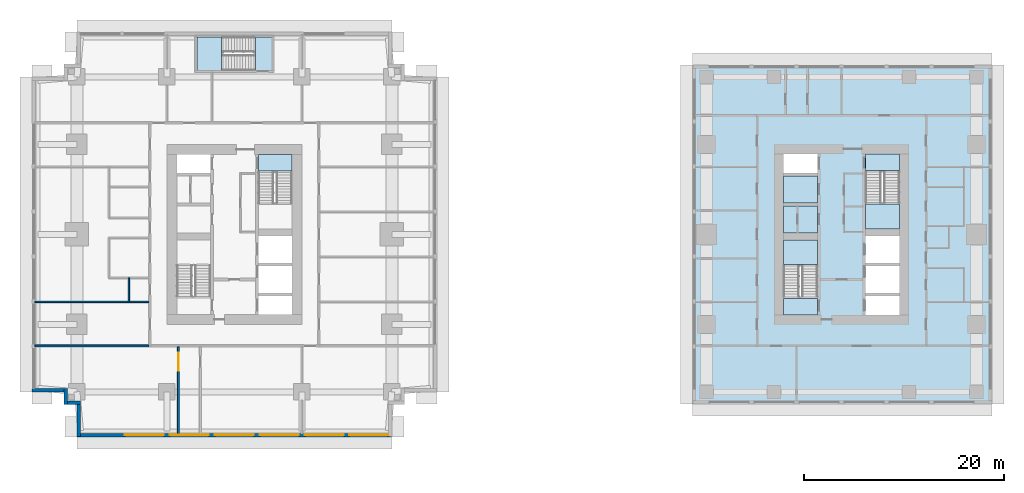
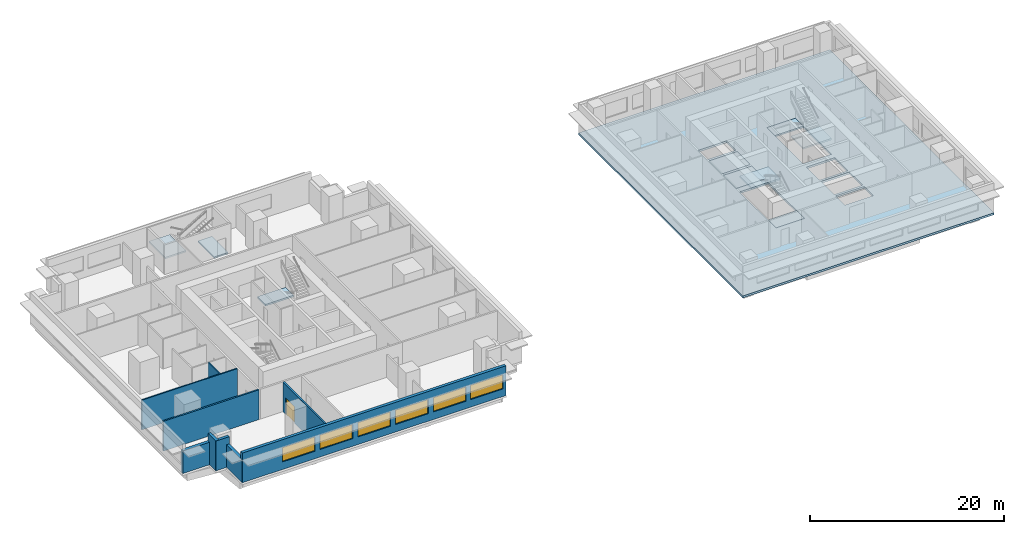
# One storey, part 2 of 11: 10 slabs, 9 walls, 6 windows, 1 door, 7 openings, 4 elements without a shape of their own.
"""IFC4 building model written with IfcOpenShell, lengths in metres."""

import ifcopenshell
import ifcopenshell.guid

model = None  # the IFC model being written
_history = None  # IfcOwnerHistory: only IFC2X3 demands one
_inside = {}  # id of a spatial element -> (the spatial element, [elements in it])
_under = {}  # id of a project, library or spatial element -> (it, [spatial elements below it])
_declared = {}  # id of a project -> (the project, [libraries it declares])
_typed = {}  # id of a type object -> (the type object, [elements of that type])
_made_of = {}  # id of a material, layer set ... -> (it, [elements and type objects made of it])


def new_model(schema):
    """Start an empty IFC model of exactly this schema.

    Asked for "IFC4X3", IfcOpenShell would pick the latest addendum, in which some entities
    have other attributes; the version numbers below select the first issue.
    IFC2X3 requires an IfcOwnerHistory on every rooted entity: one is made here for all.
    """
    global model, _history
    if schema == "IFC4X3":
        model = ifcopenshell.file(schema_version=(4, 3, 0, 0))
    else:
        model = ifcopenshell.file(schema=schema)
    _inside.clear()
    _under.clear()
    _declared.clear()
    _typed.clear()
    _made_of.clear()
    _history = None
    if model.schema == "IFC2X3":
        org = make("IfcOrganization", Name="unknown")
        user = make(
            "IfcPersonAndOrganization",
            ThePerson=make("IfcPerson", FamilyName="unknown"),
            TheOrganization=org,
        )
        app = make(
            "IfcApplication",
            ApplicationDeveloper=org,
            Version="unknown",
            ApplicationFullName="unknown",
            ApplicationIdentifier="unknown",
        )
        _history = make(
            "IfcOwnerHistory",
            OwningUser=user,
            OwningApplication=app,
            ChangeAction="ADDED",
            CreationDate=0,
        )
    return model


def make(cls, **values):
    """One entity of the class cls with the attributes given. An attribute that is None is left unset."""
    return model.create_entity(
        cls, **{name: value for name, value in values.items() if value is not None}
    )


def rooted(cls, **values):
    """An entity with a GlobalId (a new one), such as an element, a storey or a relation."""
    return make(cls, GlobalId=ifcopenshell.guid.new(), OwnerHistory=_history, **values)


def si_unit(unit_type, name, prefix=None):
    """IfcSIUnit, for example si_unit("LENGTHUNIT", "METRE", prefix="MILLI")."""
    return make("IfcSIUnit", UnitType=unit_type, Prefix=prefix, Name=name)


def assignment(units):
    """IfcUnitAssignment: the units of a project."""
    return None if units is None else make("IfcUnitAssignment", Units=units)


def point(xyz):
    """IfcCartesianPoint."""
    return None if xyz is None else make("IfcCartesianPoint", Coordinates=xyz)


def direction(xyz):
    """IfcDirection."""
    return None if xyz is None else make("IfcDirection", DirectionRatios=xyz)


def frame(location, z_axis=None, x_axis=None):
    """IfcAxis2Placement3D, a coordinate frame: its origin and axes. An axis left out is left unset."""
    return make(
        "IfcAxis2Placement3D",
        Location=point(location),
        Axis=direction(z_axis),
        RefDirection=direction(x_axis),
    )


def frame_2d(location, x_axis=None):
    """IfcAxis2Placement2D, a coordinate frame in the plane: its origin and x axis."""
    return make(
        "IfcAxis2Placement2D", Location=point(location), RefDirection=direction(x_axis)
    )


def origin():
    """The frame at (0, 0, 0) with its axes left unset."""
    return frame((0.0, 0.0, 0.0))


def place(relative_to, where):
    """IfcLocalPlacement: puts the frame where relative to a parent placement (None: the world)."""
    return make(
        "IfcLocalPlacement", PlacementRelTo=relative_to, RelativePlacement=where
    )


def context(
    kind, dimensions, precision=None, world=None, true_north=None, identifier=None
):
    """IfcGeometricRepresentationContext, for example the 3D "Model" context."""
    return make(
        "IfcGeometricRepresentationContext",
        ContextIdentifier=identifier,
        ContextType=kind,
        CoordinateSpaceDimension=dimensions,
        Precision=precision,
        WorldCoordinateSystem=world,
        TrueNorth=true_north,
    )


def subcontext(parent, identifier, kind, view, scale=None):
    """IfcGeometricRepresentationSubContext, for example "Body" below "Model"."""
    return make(
        "IfcGeometricRepresentationSubContext",
        ContextIdentifier=identifier,
        ContextType=kind,
        ParentContext=parent,
        TargetScale=scale,
        TargetView=view,
    )


def project(units=None, contexts=None):
    """IfcProject with its units and contexts."""
    return rooted(
        "IfcProject",
        Name="project",
        RepresentationContexts=contexts,
        UnitsInContext=assignment(units),
    )


def spatial(cls, under=None, at=None, **own):
    """A site, building, storey or space (cls), placed at a placement, below another one or the project."""
    s = rooted(cls, ObjectPlacement=at, **own)
    if under is not None:
        _under.setdefault(under.id(), (under, []))[1].append(s)
    return s


def polyline(points):
    """IfcPolyline through the points."""
    return make("IfcPolyline", Points=[point(p) for p in points])


def profile(cls, at=None, kind="AREA", **sizes):
    """A parametric profile (cls). Its sizes go by their IFC names, for example OverallWidth=200.0."""
    return make(cls, ProfileType=kind, Position=at, **sizes)


def rectangle(**sizes):
    """IfcRectangleProfileDef."""
    return profile("IfcRectangleProfileDef", **sizes)


def outline(outer, holes=None, kind="AREA"):
    """IfcArbitraryClosedProfileDef: a profile drawn as a closed curve; with holes, ...WithVoids."""
    if holes is None:
        return make("IfcArbitraryClosedProfileDef", ProfileType=kind, OuterCurve=outer)
    return make(
        "IfcArbitraryProfileDefWithVoids",
        ProfileType=kind,
        OuterCurve=outer,
        InnerCurves=holes,
    )


def extrude(swept, where, along, depth):
    """IfcExtrudedAreaSolid: the profile swept, set in the frame where, extruded along a direction by depth."""
    return make(
        "IfcExtrudedAreaSolid",
        SweptArea=swept,
        Position=where,
        ExtrudedDirection=direction(along),
        Depth=depth,
    )


def shape(context_of_items, identifier, shape_type, items):
    """IfcShapeRepresentation: the items that make up one representation, for example the "Body"."""
    return make(
        "IfcShapeRepresentation",
        ContextOfItems=context_of_items,
        RepresentationIdentifier=identifier,
        RepresentationType=shape_type,
        Items=items,
    )


def material(Name=None, Category=None):
    """IfcMaterial."""
    return make("IfcMaterial", Name=Name, Category=Category)


def layer(
    of_material, thickness, ventilated=None, Name=None, Category=None, Priority=None
):
    """IfcMaterialLayer: one layer of a wall or slab, of a material (None: an air gap)."""
    return make(
        "IfcMaterialLayer",
        Material=of_material,
        LayerThickness=thickness,
        IsVentilated=ventilated,
        Name=Name,
        Category=Category,
        Priority=Priority,
    )


def layer_set(layers, Name=None):
    """IfcMaterialLayerSet."""
    return make("IfcMaterialLayerSet", MaterialLayers=layers, LayerSetName=Name)


def made_of(thing, what):
    """Note that an element or type object is made of a material, layer set ...; save() writes the relation."""
    if what is not None:
        _made_of.setdefault(what.id(), (what, []))[1].append(thing)
    return thing


def type_object(cls, material=None, **own):
    """A type object (cls), such as IfcWallType, which elements share."""
    return made_of(rooted(cls, **own), material)


def element(
    cls,
    number,
    at=None,
    inside=None,
    cuts=None,
    type_object=None,
    material=None,
    context=None,
    identifier="Body",
    shape_type=None,
    held_by="IfcProductDefinitionShape",
    body=None,
    shapes=None,
    **own,
):
    """One element of the class cls, such as IfcWall. Its Tag is "e" and its number.

    at: its placement. inside: the storey or other place that contains it. cuts: it is an
    opening in that element (IfcRelVoidsElement). A single representation is given by context,
    identifier, shape_type and body (its items); several are given by shapes. held_by: the class
    of the entity that holds the representations. save() writes the other relations.
    """
    e = rooted(cls, Tag="e%d" % number, ObjectPlacement=at, **own)
    if body is not None:
        shapes = [shape(context, identifier, shape_type, body)]
    if shapes is not None:
        e.Representation = make(held_by, Representations=shapes)
    if inside is not None:
        _inside.setdefault(inside.id(), (inside, []))[1].append(e)
    if cuts is not None:
        rooted(
            "IfcRelVoidsElement", RelatingBuildingElement=cuts, RelatedOpeningElement=e
        )
    if type_object is not None:
        _typed.setdefault(type_object.id(), (type_object, []))[1].append(e)
    return made_of(e, material)


def fill(opening, filler):
    """IfcRelFillsElement: the door or window that sits in an opening."""
    return rooted(
        "IfcRelFillsElement",
        RelatingOpeningElement=opening,
        RelatedBuildingElement=filler,
    )


def aggregate(whole, parts):
    """IfcRelAggregates: a whole, such as a stair, and the parts it consists of."""
    return rooted("IfcRelAggregates", RelatingObject=whole, RelatedObjects=parts)


def save(model, path):
    """Write the relations noted so far, then the file.

    IfcRelAggregates (storeys below a building ...), IfcRelContainedInSpatialStructure (elements
    in a storey), IfcRelDefinesByType, IfcRelAssociatesMaterial and IfcRelDeclares: one each for
    every whole, place, type object, material and project.
    """
    for whole, parts in _under.values():
        aggregate(whole, parts)
    for where, things in _inside.values():
        rooted(
            "IfcRelContainedInSpatialStructure",
            RelatedElements=things,
            RelatingStructure=where,
        )
    for kind, things in _typed.values():
        rooted("IfcRelDefinesByType", RelatedObjects=things, RelatingType=kind)
    for what, things in _made_of.values():
        rooted("IfcRelAssociatesMaterial", RelatedObjects=things, RelatingMaterial=what)
    for by, libraries in _declared.values():
        rooted("IfcRelDeclares", RelatingContext=by, RelatedDefinitions=libraries)
    model.write(path)


model = new_model("IFC4")

# Units and contexts
model_context = context("Model", 3, precision=1e-05, world=origin(), true_north=direction((0.0, 1.0)))
body_context = subcontext(model_context, "Body", "Model", "MODEL_VIEW")
ifc_project = project(units=[si_unit("LENGTHUNIT", "METRE"), si_unit("AREAUNIT", "SQUARE_METRE"), si_unit("VOLUMEUNIT", "CUBIC_METRE"), si_unit("PLANEANGLEUNIT", "RADIAN"), si_unit("MASSUNIT", "GRAM", prefix="KILO")], contexts=[model_context])

# Site, building, storey
site_placement = place(None, origin())
site = spatial("IfcSite", under=ifc_project, at=site_placement, CompositionType="ELEMENT")
building_placement = place(site_placement, origin())
building = spatial("IfcBuilding", under=site, at=building_placement, Name="Namib Vertical Campus", CompositionType="ELEMENT")
storey_placement = place(building_placement, frame((0.0, 0.0, 177.0)))
storey = spatial("IfcBuildingStorey", under=building, at=storey_placement, Name="L41", CompositionType="ELEMENT", Elevation=177.0)

# Slabs
ifc_material_1 = material(Name="Concrete C40/50", Category="concrete")
ifc_layer_1 = layer(ifc_material_1, 0.25)
ifc_layer_set_1 = layer_set([ifc_layer_1], Name="Concrete C40/50")
slab_type_1 = type_object("IfcSlabType", Name="Floor slab 250", PredefinedType="FLOOR", material=ifc_layer_set_1)
slab_1_placement = place(storey_placement, frame((0.0, 0.0, -0.25)))
element("IfcSlab", 1, at=slab_1_placement, inside=storey, type_object=slab_type_1, Name="Floor slab B L41", PredefinedType="FLOOR", context=body_context, shape_type="SweptSolid", body=[
    extrude(outline(polyline([(66.10009765625, 3.300048828125), (96.050048828125, 3.300048828125), (96.050048828125, 37.199951171875), (66.10009765625, 37.199951171875), (66.10009765625, 3.300048828125)]), holes=[polyline([(75.199951171875, 12.199951171875), (78.60009765625, 12.199951171875), (78.60009765625, 19.699951171875), (75.199951171875, 19.699951171875), (75.199951171875, 12.199951171875)]), polyline([(83.39990234375, 20.800048828125), (86.800048828125, 20.800048828125), (86.800048828125, 28.300048828125), (83.39990234375, 28.300048828125), (83.39990234375, 20.800048828125)]), polyline([(83.39990234375, 12.199951171875), (86.800048828125, 12.199951171875), (86.800048828125, 14.10009765625), (83.39990234375, 14.10009765625), (83.39990234375, 12.199951171875)]), polyline([(75.199951171875, 20.39990234375), (78.60009765625, 20.39990234375), (78.60009765625, 23.10009765625), (75.199951171875, 23.10009765625), (75.199951171875, 20.39990234375)]), polyline([(75.199951171875, 23.39990234375), (78.60009765625, 23.39990234375), (78.60009765625, 26.10009765625), (75.199951171875, 26.10009765625), (75.199951171875, 23.39990234375)]), polyline([(75.199951171875, 26.39990234375), (78.60009765625, 26.39990234375), (78.60009765625, 28.300048828125), (75.199951171875, 28.300048828125), (75.199951171875, 26.39990234375)]), polyline([(83.39990234375, 14.39990234375), (86.800048828125, 14.39990234375), (86.800048828125, 17.10009765625), (83.39990234375, 17.10009765625), (83.39990234375, 14.39990234375)]), polyline([(83.39990234375, 17.39990234375), (86.800048828125, 17.39990234375), (86.800048828125, 20.10009765625), (83.39990234375, 20.10009765625), (83.39990234375, 17.39990234375)])]), origin(), (0.0, 0.0, 1.0), 0.25),
])
ifc_material_2 = material(Name="Concrete C40/50 precast", Category="concrete")
ifc_layer_2 = layer(ifc_material_2, 0.25)
ifc_layer_set_2 = layer_set([ifc_layer_2], Name="Concrete C40/50 precast")
slab_type_2 = type_object("IfcSlabType", Name="Shaft infill floor 250", PredefinedType="FLOOR", material=ifc_layer_set_2)
slab_2_placement = place(storey_placement, frame((0.0, 0.0, -0.25)))
element("IfcSlab", 2, at=slab_2_placement, inside=storey, type_object=slab_type_2, Name="Shaft infill floor B L41 P1", PredefinedType="FLOOR", context=body_context, shape_type="SweptSolid", body=[
    extrude(outline(polyline([(75.199951171875, 20.39990234375), (78.60009765625, 20.39990234375), (78.60009765625, 23.10009765625), (75.199951171875, 23.10009765625), (75.199951171875, 20.39990234375)])), origin(), (0.0, 0.0, 1.0), 0.25),
])
slab_3_placement = place(storey_placement, frame((0.0, 0.0, -0.25)))
element("IfcSlab", 3, at=slab_3_placement, inside=storey, type_object=slab_type_2, Name="Shaft infill floor B L41 P2", PredefinedType="FLOOR", context=body_context, shape_type="SweptSolid", body=[
    extrude(outline(polyline([(75.199951171875, 23.39990234375), (78.60009765625, 23.39990234375), (78.60009765625, 26.10009765625), (75.199951171875, 26.10009765625), (75.199951171875, 23.39990234375)])), origin(), (0.0, 0.0, 1.0), 0.25),
])

# Stair, slab
ifc_material_3 = material(Name="Concrete C40/50 precast", Category="concrete")
stair_type_1 = type_object("IfcStairType", Name="Exit stair 4000 rise 24 risers 3350 wide", PredefinedType="HALF_TURN_STAIR", material=ifc_material_3)
stair_1_placement = place(storey_placement, origin())
stair_1 = element("IfcStair", 4, at=stair_1_placement, inside=storey, type_object=stair_type_1, Name="Exit stair A-S2 L41", PredefinedType="HALF_TURN_STAIR")
ifc_material_4 = material(Name="Concrete C40/50", Category="concrete")
ifc_layer_3 = layer(ifc_material_4, 0.199951171875)
ifc_layer_set_3 = layer_set([ifc_layer_3], Name="Concrete C40/50")
slab_type_3 = type_object("IfcSlabType", Name="Stair landing 200", PredefinedType="LANDING", material=ifc_layer_set_3)
slab_4_placement = place(storey_placement, frame((0.0, 0.0, -0.199951171875)))
slab_4 = element("IfcSlab", 5, at=slab_4_placement, type_object=slab_type_3, Name="A-S2 landing 1", PredefinedType="LANDING", context=body_context, shape_type="SweptSolid", body=[
    extrude(outline(polyline([(22.64990234375, 26.59619140625), (26.0, 26.59619140625), (26.0, 28.25), (22.64990234375, 28.25), (22.64990234375, 26.59619140625)])), origin(), (0.0, 0.0, 1.0), 0.199951171875),
])
aggregate(stair_1, [slab_4])

# Stair, slabs
ifc_material_5 = material(Name="Concrete C40/50 precast", Category="concrete")
stair_type_2 = type_object("IfcStairType", Name="Exit stair 4000 rise 24 risers 3400 wide", PredefinedType="HALF_TURN_STAIR", material=ifc_material_5)
stair_2_placement = place(storey_placement, origin())
stair_2 = element("IfcStair", 6, at=stair_2_placement, inside=storey, type_object=stair_type_2, Name="Exit stair B-S1 L41", PredefinedType="HALF_TURN_STAIR")
slab_5_placement = place(storey_placement, frame((0.0, 0.0, -0.199951171875)))
slab_5 = element("IfcSlab", 7, at=slab_5_placement, type_object=slab_type_3, Name="B-S1 landing 1", PredefinedType="LANDING", context=body_context, shape_type="SweptSolid", body=[
    extrude(outline(polyline([(75.199951171875, 12.199951171875), (78.60009765625, 12.199951171875), (78.60009765625, 13.85400390625), (75.199951171875, 13.85400390625), (75.199951171875, 12.199951171875)])), origin(), (0.0, 0.0, 1.0), 0.199951171875),
])
slab_6_placement = place(storey_placement, frame((0.0, 0.0, 1.800048828125)))
slab_6 = element("IfcSlab", 8, at=slab_6_placement, type_object=slab_type_3, Name="B-S1 landing 2", PredefinedType="LANDING", context=body_context, shape_type="SweptSolid", body=[
    extrude(outline(polyline([(75.199951171875, 17.22607421875), (78.60009765625, 17.22607421875), (78.60009765625, 19.699951171875), (75.199951171875, 19.699951171875), (75.199951171875, 17.22607421875)])), origin(), (0.0, 0.0, 1.0), 0.199951171875),
])
aggregate(stair_2, [slab_5, slab_6])

stair_3_placement = place(storey_placement, origin())
stair_3 = element("IfcStair", 9, at=stair_3_placement, inside=storey, type_object=stair_type_2, Name="Exit stair B-S2 L41", PredefinedType="HALF_TURN_STAIR")
slab_7_placement = place(storey_placement, frame((0.0, 0.0, -0.199951171875)))
slab_7 = element("IfcSlab", 10, at=slab_7_placement, type_object=slab_type_3, Name="B-S2 landing 1", PredefinedType="LANDING", context=body_context, shape_type="SweptSolid", body=[
    extrude(outline(polyline([(83.39990234375, 26.64599609375), (86.800048828125, 26.64599609375), (86.800048828125, 28.300048828125), (83.39990234375, 28.300048828125), (83.39990234375, 26.64599609375)])), origin(), (0.0, 0.0, 1.0), 0.199951171875),
])
slab_8_placement = place(storey_placement, frame((0.0, 0.0, 1.800048828125)))
slab_8 = element("IfcSlab", 11, at=slab_8_placement, type_object=slab_type_3, Name="B-S2 landing 2", PredefinedType="LANDING", context=body_context, shape_type="SweptSolid", body=[
    extrude(outline(polyline([(83.39990234375, 20.800048828125), (86.800048828125, 20.800048828125), (86.800048828125, 23.27392578125), (83.39990234375, 23.27392578125), (83.39990234375, 20.800048828125)])), origin(), (0.0, 0.0, 1.0), 0.199951171875),
])
aggregate(stair_3, [slab_7, slab_8])

stair_4_placement = place(storey_placement, origin())
stair_4 = element("IfcStair", 12, at=stair_4_placement, inside=storey, type_object=stair_type_1, Name="Exit stair A-S3 L41", PredefinedType="HALF_TURN_STAIR")
slab_9_placement = place(storey_placement, frame((0.0, 0.0, -0.199951171875)))
slab_9 = element("IfcSlab", 13, at=slab_9_placement, type_object=slab_type_3, Name="A-S3 landing 1", PredefinedType="LANDING", context=body_context, shape_type="SweptSolid", body=[
    extrude(outline(polyline([(22.34619140625, 36.64990234375), (22.34619140625, 40.0), (24.0, 40.0), (24.0, 36.64990234375), (22.34619140625, 36.64990234375)])), origin(), (0.0, 0.0, 1.0), 0.199951171875),
])
slab_10_placement = place(storey_placement, frame((0.0, 0.0, 1.800048828125)))
slab_10 = element("IfcSlab", 14, at=slab_10_placement, type_object=slab_type_3, Name="A-S3 landing 2", PredefinedType="LANDING", context=body_context, shape_type="SweptSolid", body=[
    extrude(outline(polyline([(16.5, 36.64990234375), (16.5, 40.0), (18.973876953125, 40.0), (18.973876953125, 36.64990234375), (16.5, 36.64990234375)])), origin(), (0.0, 0.0, 1.0), 0.199951171875),
])
aggregate(stair_4, [slab_9, slab_10])

# Wall, opening, door
ifc_material_6 = material(Name="Concrete masonry", Category="masonry")
ifc_layer_4 = layer(ifc_material_6, 0.199951171875)
ifc_layer_set_4 = layer_set([ifc_layer_4], Name="Corridor wall 200")
wall_type_1 = type_object("IfcWallType", Name="Corridor wall 200", PredefinedType="SOLIDWALL", material=ifc_layer_set_4)
wall_1_placement = place(storey_placement, frame((14.64990234375, 0.300048828125, 0.0), z_axis=(0.0, 0.0, 1.0), x_axis=(0.0, 1.0, 0.0)))
wall_1 = element("IfcWall", 15, at=wall_1_placement, inside=storey, type_object=wall_type_1, Name="Corridor wall A L41 SPS1", PredefinedType="SOLIDWALL", context=body_context, shape_type="SweptSolid", body=[
    extrude(rectangle(XDim=8.699951171875, YDim=0.199951171875, at=frame_2d((4.35009765625, 0.0))), origin(), (0.0, 0.0, 1.0), 3.75),
])
opening_1_placement = place(wall_1_placement, frame((6.300048828125, 0.0, 0.0)))
opening_1 = element("IfcOpeningElement", 16, at=opening_1_placement, cuts=wall_1, Name="Opening CD2", PredefinedType="OPENING", context=body_context, shape_type="SweptSolid", body=[
    extrude(rectangle(XDim=1.800048828125, YDim=2.10009765625, at=frame_2d((0.89990234375, 1.050048828125))), frame((0.0, 0.10986328125, 0.0), z_axis=(0.0, -1.0, 0.0), x_axis=(1.0, 0.0, 0.0)), (0.0, 0.0, 1.0), 0.219970703125),
])
ifc_material_7 = material(Name="Timber fire door leaf", Category="wood")
door_type = type_object("IfcDoorType", Name="Corridor door double 1800x2100 20 min", OperationType="DOUBLE_DOOR_SINGLE_SWING", PredefinedType="DOOR", material=ifc_material_7)
door_placement = place(opening_1_placement, origin())
door = element("IfcDoor", 17, at=door_placement, inside=storey, type_object=door_type, Name="Door CD2 A41-01", OperationType="DOUBLE_DOOR_SINGLE_SWING", OverallHeight=2.10009765625, OverallWidth=1.800048828125, PredefinedType="DOOR", context=body_context, shape_type="SweptSolid", body=[
    extrude(rectangle(XDim=1.800048828125, YDim=2.10009765625, at=frame_2d((0.89990234375, 1.050048828125))), frame((0.0, 0.02490234375, 0.0), z_axis=(0.0, -1.0, 0.0), x_axis=(1.0, 0.0, 0.0)), (0.0, 0.0, 1.0), 0.050048828125),
])
fill(opening_1, door)

# Wall
wall_2_placement = place(storey_placement, frame((0.300048828125, 9.10009765625, 0.0), z_axis=(0.0, 0.0, 1.0), x_axis=(1.0, 0.0, 0.0)))
element("IfcWall", 18, at=wall_2_placement, inside=storey, type_object=wall_type_1, Name="Partition A L41 BSW", PredefinedType="SOLIDWALL", context=body_context, shape_type="SweptSolid", body=[
    extrude(rectangle(XDim=11.39990234375, YDim=0.199951171875, at=frame_2d((5.699951171875, 0.0))), origin(), (0.0, 0.0, 1.0), 3.75),
])

# Wall, openings, windows
ifc_material_8 = material(Name="Concrete C40/50", Category="concrete")
ifc_layer_5 = layer(ifc_material_8, 0.35009765625)
ifc_layer_set_5 = layer_set([ifc_layer_5], Name="Concrete C40/50")
wall_type_2 = type_object("IfcWallType", Name="External wall 350 bush-hammered concrete", PredefinedType="STANDARD", material=ifc_layer_set_5)
wall_3_placement = place(storey_placement, frame((4.52001953125, 0.175048828125, 0.0), z_axis=(0.0, 0.0, 1.0), x_axis=(1.0, 0.0, 0.0)))
wall_3 = element("IfcWall", 19, at=wall_3_placement, inside=storey, type_object=wall_type_2, Name="External wall L41 F01", PredefinedType="STANDARD", context=body_context, shape_type="SweptSolid", body=[
    extrude(rectangle(XDim=31.4599609375, YDim=0.35009765625, at=frame_2d((15.72998046875, 0.0))), origin(), (0.0, 0.0, 1.0), 3.75),
])
opening_2_placement = place(wall_3_placement, frame((4.780029296875, 0.0, 0.949951171875)))
opening_2 = element("IfcOpeningElement", 20, at=opening_2_placement, cuts=wall_3, Name="Opening W3", PredefinedType="OPENING", context=body_context, shape_type="SweptSolid", body=[
    extrude(rectangle(XDim=3.89990234375, YDim=1.800048828125, at=frame_2d((1.949951171875, 0.89990234375))), frame((0.0, 0.18505859375, 0.0), z_axis=(0.0, -1.0, 0.0), x_axis=(1.0, 0.0, 0.0)), (0.0, 0.0, 1.0), 0.3701171875),
])
opening_3_placement = place(wall_3_placement, frame((9.280029296875, 0.0, 0.949951171875)))
opening_3 = element("IfcOpeningElement", 21, at=opening_3_placement, cuts=wall_3, Name="Opening W3", PredefinedType="OPENING", context=body_context, shape_type="SweptSolid", body=[
    extrude(rectangle(XDim=3.89990234375, YDim=1.800048828125, at=frame_2d((1.949951171875, 0.89990234375))), frame((0.0, 0.18505859375, 0.0), z_axis=(0.0, -1.0, 0.0), x_axis=(1.0, 0.0, 0.0)), (0.0, 0.0, 1.0), 0.3701171875),
])
opening_4_placement = place(wall_3_placement, frame((13.780029296875, 0.0, 0.949951171875)))
opening_4 = element("IfcOpeningElement", 22, at=opening_4_placement, cuts=wall_3, Name="Opening W3", PredefinedType="OPENING", context=body_context, shape_type="SweptSolid", body=[
    extrude(rectangle(XDim=3.89990234375, YDim=1.800048828125, at=frame_2d((1.949951171875, 0.89990234375))), frame((0.0, 0.18505859375, 0.0), z_axis=(0.0, -1.0, 0.0), x_axis=(1.0, 0.0, 0.0)), (0.0, 0.0, 1.0), 0.3701171875),
])
opening_5_placement = place(wall_3_placement, frame((18.280029296875, 0.0, 0.949951171875)))
opening_5 = element("IfcOpeningElement", 23, at=opening_5_placement, cuts=wall_3, Name="Opening W3", PredefinedType="OPENING", context=body_context, shape_type="SweptSolid", body=[
    extrude(rectangle(XDim=3.89990234375, YDim=1.800048828125, at=frame_2d((1.949951171875, 0.89990234375))), frame((0.0, 0.18505859375, 0.0), z_axis=(0.0, -1.0, 0.0), x_axis=(1.0, 0.0, 0.0)), (0.0, 0.0, 1.0), 0.3701171875),
])
opening_6_placement = place(wall_3_placement, frame((22.780029296875, 0.0, 0.949951171875)))
opening_6 = element("IfcOpeningElement", 24, at=opening_6_placement, cuts=wall_3, Name="Opening W3", PredefinedType="OPENING", context=body_context, shape_type="SweptSolid", body=[
    extrude(rectangle(XDim=3.89990234375, YDim=1.800048828125, at=frame_2d((1.949951171875, 0.89990234375))), frame((0.0, 0.18505859375, 0.0), z_axis=(0.0, -1.0, 0.0), x_axis=(1.0, 0.0, 0.0)), (0.0, 0.0, 1.0), 0.3701171875),
])
opening_7_placement = place(wall_3_placement, frame((27.2099609375, 0.0, 0.949951171875)))
opening_7 = element("IfcOpeningElement", 25, at=opening_7_placement, cuts=wall_3, Name="Opening W3", PredefinedType="OPENING", context=body_context, shape_type="SweptSolid", body=[
    extrude(rectangle(XDim=3.89990234375, YDim=1.800048828125, at=frame_2d((1.949951171875, 0.89990234375))), frame((0.0, 0.18505859375, 0.0), z_axis=(0.0, -1.0, 0.0), x_axis=(1.0, 0.0, 0.0)), (0.0, 0.0, 1.0), 0.3701171875),
])
ifc_material_9 = material(Name="Dark tinted glass in black aluminium frame", Category="aluminium")
window_type = type_object("IfcWindowType", Name="Ribbon window 3900x1800", PartitioningType="SINGLE_PANEL", PredefinedType="WINDOW", material=ifc_material_9)
window_1_placement = place(opening_2_placement, origin())
window_1 = element("IfcWindow", 26, at=window_1_placement, inside=storey, type_object=window_type, Name="Window W3 L41 F01-2", OverallHeight=1.800048828125, OverallWidth=3.89990234375, PartitioningType="SINGLE_PANEL", PredefinedType="WINDOW", context=body_context, shape_type="SweptSolid", body=[
    extrude(rectangle(XDim=3.89990234375, YDim=1.800048828125, at=frame_2d((1.949951171875, 0.89990234375))), frame((0.0, 0.030029296875, 0.0), z_axis=(0.0, -1.0, 0.0), x_axis=(1.0, 0.0, 0.0)), (0.0, 0.0, 1.0), 0.06005859375),
])
fill(opening_2, window_1)
window_2_placement = place(opening_3_placement, origin())
window_2 = element("IfcWindow", 27, at=window_2_placement, inside=storey, type_object=window_type, Name="Window W3 L41 F01-3", OverallHeight=1.800048828125, OverallWidth=3.89990234375, PartitioningType="SINGLE_PANEL", PredefinedType="WINDOW", context=body_context, shape_type="SweptSolid", body=[
    extrude(rectangle(XDim=3.89990234375, YDim=1.800048828125, at=frame_2d((1.949951171875, 0.89990234375))), frame((0.0, 0.030029296875, 0.0), z_axis=(0.0, -1.0, 0.0), x_axis=(1.0, 0.0, 0.0)), (0.0, 0.0, 1.0), 0.06005859375),
])
fill(opening_3, window_2)
window_3_placement = place(opening_4_placement, origin())
window_3 = element("IfcWindow", 28, at=window_3_placement, inside=storey, type_object=window_type, Name="Window W3 L41 F01-4", OverallHeight=1.800048828125, OverallWidth=3.89990234375, PartitioningType="SINGLE_PANEL", PredefinedType="WINDOW", context=body_context, shape_type="SweptSolid", body=[
    extrude(rectangle(XDim=3.89990234375, YDim=1.800048828125, at=frame_2d((1.949951171875, 0.89990234375))), frame((0.0, 0.030029296875, 0.0), z_axis=(0.0, -1.0, 0.0), x_axis=(1.0, 0.0, 0.0)), (0.0, 0.0, 1.0), 0.06005859375),
])
fill(opening_4, window_3)
window_4_placement = place(opening_5_placement, origin())
window_4 = element("IfcWindow", 29, at=window_4_placement, inside=storey, type_object=window_type, Name="Window W3 L41 F01-5", OverallHeight=1.800048828125, OverallWidth=3.89990234375, PartitioningType="SINGLE_PANEL", PredefinedType="WINDOW", context=body_context, shape_type="SweptSolid", body=[
    extrude(rectangle(XDim=3.89990234375, YDim=1.800048828125, at=frame_2d((1.949951171875, 0.89990234375))), frame((0.0, 0.030029296875, 0.0), z_axis=(0.0, -1.0, 0.0), x_axis=(1.0, 0.0, 0.0)), (0.0, 0.0, 1.0), 0.06005859375),
])
fill(opening_5, window_4)
window_5_placement = place(opening_6_placement, origin())
window_5 = element("IfcWindow", 30, at=window_5_placement, inside=storey, type_object=window_type, Name="Window W3 L41 F01-6", OverallHeight=1.800048828125, OverallWidth=3.89990234375, PartitioningType="SINGLE_PANEL", PredefinedType="WINDOW", context=body_context, shape_type="SweptSolid", body=[
    extrude(rectangle(XDim=3.89990234375, YDim=1.800048828125, at=frame_2d((1.949951171875, 0.89990234375))), frame((0.0, 0.030029296875, 0.0), z_axis=(0.0, -1.0, 0.0), x_axis=(1.0, 0.0, 0.0)), (0.0, 0.0, 1.0), 0.06005859375),
])
fill(opening_6, window_5)
window_6_placement = place(opening_7_placement, origin())
window_6 = element("IfcWindow", 31, at=window_6_placement, inside=storey, type_object=window_type, Name="Window W3 L41 F01-7", OverallHeight=1.800048828125, OverallWidth=3.89990234375, PartitioningType="SINGLE_PANEL", PredefinedType="WINDOW", context=body_context, shape_type="SweptSolid", body=[
    extrude(rectangle(XDim=3.89990234375, YDim=1.800048828125, at=frame_2d((1.949951171875, 0.89990234375))), frame((0.0, 0.030029296875, 0.0), z_axis=(0.0, -1.0, 0.0), x_axis=(1.0, 0.0, 0.0)), (0.0, 0.0, 1.0), 0.06005859375),
])
fill(opening_7, window_6)

# Walls
wall_4_placement = place(storey_placement, frame((0.02001953125, 4.675048828125, 0.0), z_axis=(0.0, 0.0, 1.0), x_axis=(1.0, 0.0, 0.0)))
element("IfcWall", 32, at=wall_4_placement, inside=storey, type_object=wall_type_2, Name="External wall L41 F17", PredefinedType="STANDARD", context=body_context, shape_type="SweptSolid", body=[
    extrude(rectangle(XDim=3.534912109375, YDim=0.35009765625, at=frame_2d((1.767578125, 0.0))), origin(), (0.0, 0.0, 1.0), 2.85009765625),
])
for number, where, z_axis, x_axis, name in (
    (33, (3.39990234375, 4.830078125, 0.0), (0.0, 0.0, 1.0), (0.0, -1.0, 0.0), "External wall L41 F18"),
    (34, (3.2451171875, 3.39990234375, 0.0), (0.0, 0.0, 1.0), (1.0, 0.0, 0.0), "External wall L41 F19"),
):
    element("IfcWall", number, at=place(storey_placement, frame(where, z_axis=z_axis, x_axis=x_axis)), inside=storey, type_object=wall_type_2, Name=name, PredefinedType="STANDARD", context=body_context, shape_type="SweptSolid", body=[
        extrude(rectangle(XDim=1.5849609375, YDim=0.35009765625, at=frame_2d((0.79248046875, 0.0))), origin(), (0.0, 0.0, 1.0), 3.75),
    ])
wall_5_placement = place(storey_placement, frame((4.675048828125, 3.554931640625, 0.0), z_axis=(0.0, 0.0, 1.0), x_axis=(0.0, -1.0, 0.0)))
element("IfcWall", 35, at=wall_5_placement, inside=storey, type_object=wall_type_2, Name="External wall L41 F20", PredefinedType="STANDARD", context=body_context, shape_type="SweptSolid", body=[
    extrude(rectangle(XDim=3.534912109375, YDim=0.35009765625, at=frame_2d((1.767578125, 0.0))), origin(), (0.0, 0.0, 1.0), 2.85009765625),
])
ifc_material_10 = material(Name="Gypsum board on steel studs", Category="steel")
ifc_layer_6 = layer(ifc_material_10, 0.14990234375)
ifc_layer_set_6 = layer_set([ifc_layer_6], Name="Gypsum board on steel studs")
wall_type_3 = type_object("IfcWallType", Name="Partition 150", PredefinedType="PARTITIONING", material=ifc_layer_set_6)
wall_6_placement = place(storey_placement, frame((0.300048828125, 13.5, 0.0), z_axis=(0.0, 0.0, 1.0), x_axis=(1.0, 0.0, 0.0)))
element("IfcWall", 36, at=wall_6_placement, inside=storey, type_object=wall_type_3, Name="Partition A L41 PW1", PredefinedType="PARTITIONING", context=body_context, shape_type="SweptSolid", body=[
    extrude(rectangle(XDim=11.39990234375, YDim=0.14990234375, at=frame_2d((5.699951171875, 0.0))), origin(), (0.0, 0.0, 1.0), 3.75),
])
wall_7_placement = place(storey_placement, frame((9.699951171875, 13.5, 0.0), z_axis=(0.0, 0.0, 1.0), x_axis=(0.0, 1.0, 0.0)))
element("IfcWall", 37, at=wall_7_placement, inside=storey, type_object=wall_type_3, Name="Partition A L41 WB1", PredefinedType="PARTITIONING", context=body_context, shape_type="SweptSolid", body=[
    extrude(rectangle(XDim=2.39990234375, YDim=0.14990234375, at=frame_2d((1.199951171875, 0.0))), origin(), (0.0, 0.0, 1.0), 3.75),
])

save(model, "model.ifc")
